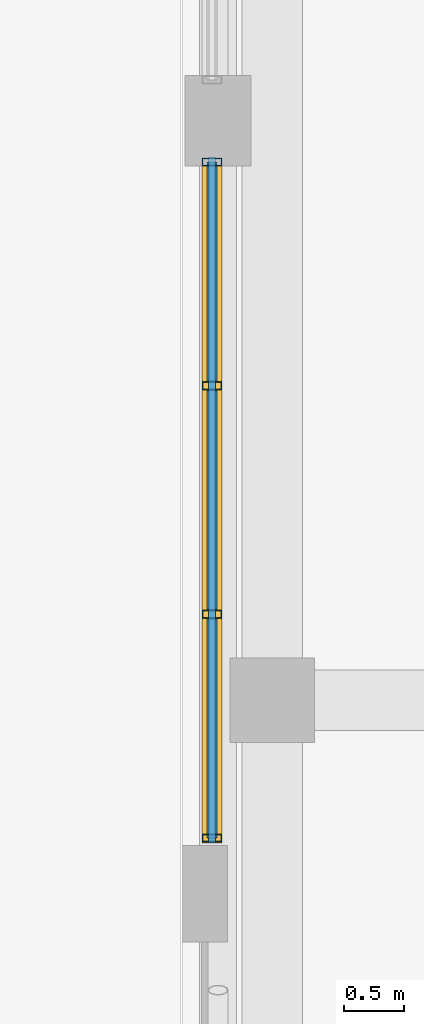
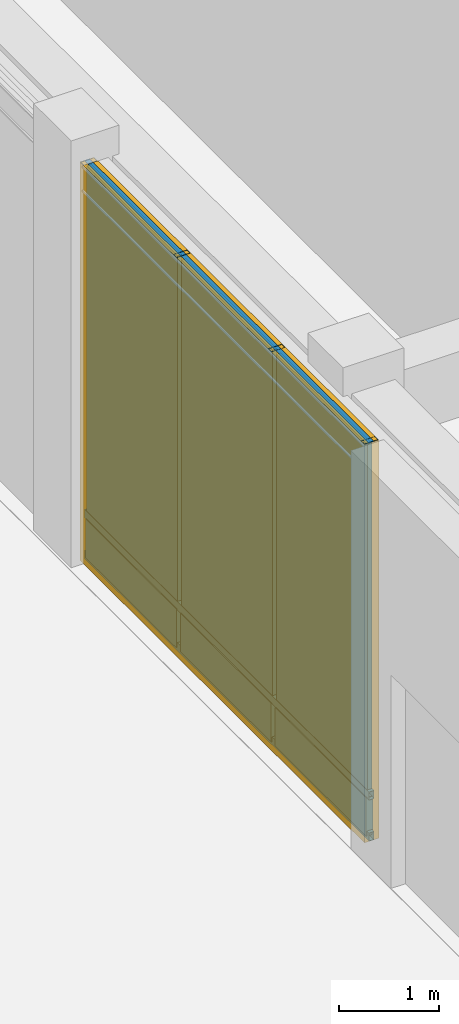
# One storey, part 14 of 24: 7 members, 6 plates, 1 curtain wall.
"""IFC4 building model written with IfcOpenShell, lengths in metres."""

from ifc_helpers import new_model, si_unit, direction, frame, frame_2d, origin, origin_2d, place, context, subcontext, project, spatial, rectangle, hollow_rectangle, extrude, material, layer, layer_set, material_profile, profile_set, type_object, element, aggregate, save


model = new_model("IFC4")

# Units and contexts
model_context = context("Model", 3, precision=1e-05, world=origin(), true_north=direction((0.0, 1.0)))
body_context = subcontext(model_context, "Body", "Model", "MODEL_VIEW")
ifc_project = project(units=[si_unit("LENGTHUNIT", "METRE"), si_unit("AREAUNIT", "SQUARE_METRE"), si_unit("VOLUMEUNIT", "CUBIC_METRE"), si_unit("PLANEANGLEUNIT", "RADIAN"), si_unit("MASSUNIT", "GRAM", prefix="KILO")], contexts=[model_context])

# Member
ifc_material_1 = material(Name="Anodized Aluminium 6063-T6", Category="aluminium")
ifc_material_profile_1 = material_profile(ifc_material_1, hollow_rectangle(XDim=0.06494140625, YDim=0.159912109375, WallThickness=0.00390625, at=origin_2d()), Name="Anodized Aluminium 6063-T6")
ifc_profile_set_1 = profile_set([ifc_material_profile_1], Name="Anodized Aluminium 6063-T6")
member_type_1 = type_object("IfcMemberType", Name="Curtain Wall Mullion 160", PredefinedType="MULLION", material=ifc_profile_set_1)
site_placement = place(None, origin())
building_placement = place(site_placement, origin())
storey_placement = place(building_placement, origin())
member_1_placement = place(storey_placement, frame((85.449951171875, 27.659912109375, 0.0), z_axis=(0.0, 0.0, 1.0), x_axis=(0.0, 1.0, 0.0)))
member_1 = element("IfcMember", 1, at=member_1_placement, type_object=member_type_1, Name="Curtain Wall Mullion CW-L00-LCOL-3-M01", PredefinedType="MULLION", context=body_context, shape_type="SweptSolid", body=[
    extrude(hollow_rectangle(XDim=0.06494140625, YDim=0.159912109375, WallThickness=0.00390625, at=origin_2d()), origin(), (0.0, 0.0, 1.0), 4.85009765625),
])

member_2_placement = place(storey_placement, frame((85.449951171875, 29.51318359375, 0.0), z_axis=(0.0, 0.0, 1.0), x_axis=(0.0, 1.0, 0.0)))
member_2 = element("IfcMember", 2, at=member_2_placement, type_object=member_type_1, Name="Curtain Wall Mullion CW-L00-LCOL-3-M02", PredefinedType="MULLION", context=body_context, shape_type="SweptSolid", body=[
    extrude(hollow_rectangle(XDim=0.06494140625, YDim=0.159912109375, WallThickness=0.00390625, at=origin_2d()), origin(), (0.0, 0.0, 1.0), 4.85009765625),
])

member_3_placement = place(storey_placement, frame((85.449951171875, 31.40673828125, 0.0), z_axis=(0.0, 0.0, 1.0), x_axis=(0.0, 1.0, 0.0)))
member_3 = element("IfcMember", 3, at=member_3_placement, type_object=member_type_1, Name="Curtain Wall Mullion CW-L00-LCOL-3-M03", PredefinedType="MULLION", context=body_context, shape_type="SweptSolid", body=[
    extrude(hollow_rectangle(XDim=0.06494140625, YDim=0.159912109375, WallThickness=0.00390625, at=origin_2d()), origin(), (0.0, 0.0, 1.0), 4.85009765625),
])

member_4_placement = place(storey_placement, frame((85.449951171875, 33.260009765625, 0.0), z_axis=(0.0, 0.0, 1.0), x_axis=(0.0, 1.0, 0.0)))
member_4 = element("IfcMember", 4, at=member_4_placement, type_object=member_type_1, Name="Curtain Wall Mullion CW-L00-LCOL-3-M04", PredefinedType="MULLION", context=body_context, shape_type="SweptSolid", body=[
    extrude(hollow_rectangle(XDim=0.06494140625, YDim=0.159912109375, WallThickness=0.00390625, at=origin_2d()), origin(), (0.0, 0.0, 1.0), 4.85009765625),
])

ifc_material_profile_2 = material_profile(ifc_material_1, hollow_rectangle(XDim=0.06005859375, YDim=0.10009765625, WallThickness=0.0029296875, at=origin_2d()), Name="Anodized Aluminium 6063-T6")
ifc_profile_set_2 = profile_set([ifc_material_profile_2], Name="Anodized Aluminium 6063-T6")
member_type_2 = type_object("IfcMemberType", Name="Curtain Wall Transom 100", PredefinedType="USERDEFINED", material=ifc_profile_set_2)
member_5_placement = place(storey_placement, frame((85.449951171875, 27.6201171875, 0.050048828125), z_axis=(0.0, 1.0, 0.0), x_axis=(-1.0, 0.0, 0.0)))
member_5 = element("IfcMember", 5, at=member_5_placement, type_object=member_type_2, Name="Curtain Wall Transom CW-L00-LCOL-3-T01", ObjectType="TRANSOM", PredefinedType="USERDEFINED", context=body_context, shape_type="SweptSolid", body=[
    extrude(hollow_rectangle(XDim=0.06005859375, YDim=0.10009765625, WallThickness=0.0029296875, at=origin_2d()), origin(), (0.0, 0.0, 1.0), 5.679931640625),
])

member_6_placement = place(storey_placement, frame((85.449951171875, 27.6201171875, 0.550048828125), z_axis=(0.0, 1.0, 0.0), x_axis=(-1.0, 0.0, 0.0)))
member_6 = element("IfcMember", 6, at=member_6_placement, type_object=member_type_2, Name="Curtain Wall Transom CW-L00-LCOL-3-T02", ObjectType="TRANSOM", PredefinedType="USERDEFINED", context=body_context, shape_type="SweptSolid", body=[
    extrude(hollow_rectangle(XDim=0.06005859375, YDim=0.10009765625, WallThickness=0.0029296875, at=origin_2d()), origin(), (0.0, 0.0, 1.0), 5.679931640625),
])

member_7_placement = place(storey_placement, frame((85.449951171875, 27.6201171875, 4.800048828125), z_axis=(0.0, 1.0, 0.0), x_axis=(-1.0, 0.0, 0.0)))
member_7 = element("IfcMember", 7, at=member_7_placement, type_object=member_type_2, Name="Curtain Wall Transom CW-L00-LCOL-3-T03", ObjectType="TRANSOM", PredefinedType="USERDEFINED", context=body_context, shape_type="SweptSolid", body=[
    extrude(hollow_rectangle(XDim=0.06005859375, YDim=0.10009765625, WallThickness=0.0029296875, at=origin_2d()), origin(), (0.0, 0.0, 1.0), 5.679931640625),
])

# Plate
ifc_material_2 = material(Name="Bird-Friendly Fritted Triple Glazing", Category="glass")
ifc_layer_1 = layer(ifc_material_2, 0.052001953125, Name="Bird-Friendly Fritted Triple Glazing")
ifc_layer_set_1 = layer_set([ifc_layer_1], Name="Bird-Friendly Fritted Triple Glazing")
plate_type_1 = type_object("IfcPlateType", Name="Plate CWGlazing 52", PredefinedType="CURTAIN_PANEL", material=ifc_layer_set_1)
plate_1_placement = place(storey_placement, frame((85.449951171875, 28.566650390625, 0.58984375), z_axis=(0.0, 0.0, 1.0), x_axis=(0.0, 1.0, 0.0)))
plate_1 = element("IfcPlate", 8, at=plate_1_placement, type_object=plate_type_1, Name="Vision Glazing Panel CW-L00-LCOL-3-GL01", PredefinedType="CURTAIN_PANEL", context=body_context, shape_type="SweptSolid", body=[
    extrude(rectangle(XDim=1.813232421875, YDim=0.052001953125, at=origin_2d()), origin(), (0.0, 0.0, 1.0), 4.219970703125),
])

plate_2_placement = place(storey_placement, frame((85.449951171875, 30.4599609375, 0.58984375), z_axis=(0.0, 0.0, 1.0), x_axis=(0.0, 1.0, 0.0)))
plate_2 = element("IfcPlate", 9, at=plate_2_placement, type_object=plate_type_1, Name="Vision Glazing Panel CW-L00-LCOL-3-GL02", PredefinedType="CURTAIN_PANEL", context=body_context, shape_type="SweptSolid", body=[
    extrude(rectangle(XDim=1.813232421875, YDim=0.052001953125, at=origin_2d()), origin(), (0.0, 0.0, 1.0), 4.219970703125),
])

plate_3_placement = place(storey_placement, frame((85.449951171875, 32.353271484375, 0.58984375), z_axis=(0.0, 0.0, 1.0), x_axis=(0.0, 1.0, 0.0)))
plate_3 = element("IfcPlate", 10, at=plate_3_placement, type_object=plate_type_1, Name="Vision Glazing Panel CW-L00-LCOL-3-GL03", PredefinedType="CURTAIN_PANEL", context=body_context, shape_type="SweptSolid", body=[
    extrude(rectangle(XDim=1.813232421875, YDim=0.052001953125, at=origin_2d()), origin(), (0.0, 0.0, 1.0), 4.219970703125),
])

ifc_material_3 = material(Name="Insulated Aluminium Spandrel Panel", Category="aluminium")
ifc_layer_2 = layer(ifc_material_3, 0.080078125, Name="Insulated Aluminium Spandrel Panel")
ifc_layer_set_2 = layer_set([ifc_layer_2], Name="Insulated Aluminium Spandrel Panel")
plate_type_2 = type_object("IfcPlateType", Name="Plate CWSpandrel 80", PredefinedType="SHEET", material=ifc_layer_set_2)
plate_4_placement = place(storey_placement, frame((85.449951171875, 28.566650390625, 0.0400390625), z_axis=(0.0, 0.0, 1.0), x_axis=(0.0, 1.0, 0.0)))
plate_4 = element("IfcPlate", 11, at=plate_4_placement, type_object=plate_type_2, Name="Spandrel Panel CW-L00-LCOL-3-SP01", PredefinedType="SHEET", context=body_context, shape_type="SweptSolid", body=[
    extrude(rectangle(XDim=1.813232421875, YDim=0.080078125, at=origin_2d()), origin(), (0.0, 0.0, 1.0), 0.469970703125),
])

plate_5_placement = place(storey_placement, frame((85.449951171875, 30.4599609375, 0.0400390625), z_axis=(0.0, 0.0, 1.0), x_axis=(0.0, 1.0, 0.0)))
plate_5 = element("IfcPlate", 12, at=plate_5_placement, type_object=plate_type_2, Name="Spandrel Panel CW-L00-LCOL-3-SP02", PredefinedType="SHEET", context=body_context, shape_type="SweptSolid", body=[
    extrude(rectangle(XDim=1.813232421875, YDim=0.080078125, at=origin_2d()), origin(), (0.0, 0.0, 1.0), 0.469970703125),
])

plate_6_placement = place(storey_placement, frame((85.449951171875, 32.353271484375, 0.0400390625), z_axis=(0.0, 0.0, 1.0), x_axis=(0.0, 1.0, 0.0)))
plate_6 = element("IfcPlate", 13, at=plate_6_placement, type_object=plate_type_2, Name="Spandrel Panel CW-L00-LCOL-3-SP03", PredefinedType="SHEET", context=body_context, shape_type="SweptSolid", body=[
    extrude(rectangle(XDim=1.813232421875, YDim=0.080078125, at=origin_2d()), origin(), (0.0, 0.0, 1.0), 0.469970703125),
])

# Site, building, storey
site = spatial("IfcSite", under=ifc_project, at=site_placement, CompositionType="ELEMENT")
building = spatial("IfcBuilding", under=site, at=building_placement, Name="Norrvale University Quadrangle", CompositionType="ELEMENT")
storey = spatial("IfcBuildingStorey", under=building, at=storey_placement, Name="L00", CompositionType="ELEMENT", Elevation=0.0)

# Curtain wall
ifc_material_4 = material(Name="Anodized Aluminium and Triple Glazing", Category="glass")
curtain_wall_type = type_object("IfcCurtainWallType", Name="Curtain Wall System 5 Lib Colonnade", PredefinedType="NOTDEFINED", material=ifc_material_4)
curtain_wall_placement = place(storey_placement, frame((85.449951171875, 27.6201171875, 0.0), z_axis=(0.0, 0.0, 1.0), x_axis=(0.0, 1.0, 0.0)))
curtain_wall = element("IfcCurtainWall", 14, at=curtain_wall_placement, inside=storey, type_object=curtain_wall_type, Name="Curtain Wall CW System 5 Lib Colonnade CW-L00-LCOL-3", PredefinedType="NOTDEFINED", context=body_context, shape_type="SweptSolid", body=[
    extrude(rectangle(XDim=5.679931640625, YDim=0.1650390625, at=frame_2d((2.83984375, 0.0))), origin(), (0.0, 0.0, 1.0), 4.85009765625),
])

aggregate(curtain_wall, [member_1, member_2, member_3, member_4, member_5, member_6, member_7, plate_4, plate_1, plate_5, plate_2, plate_6, plate_3])

save(model, "model.ifc")
